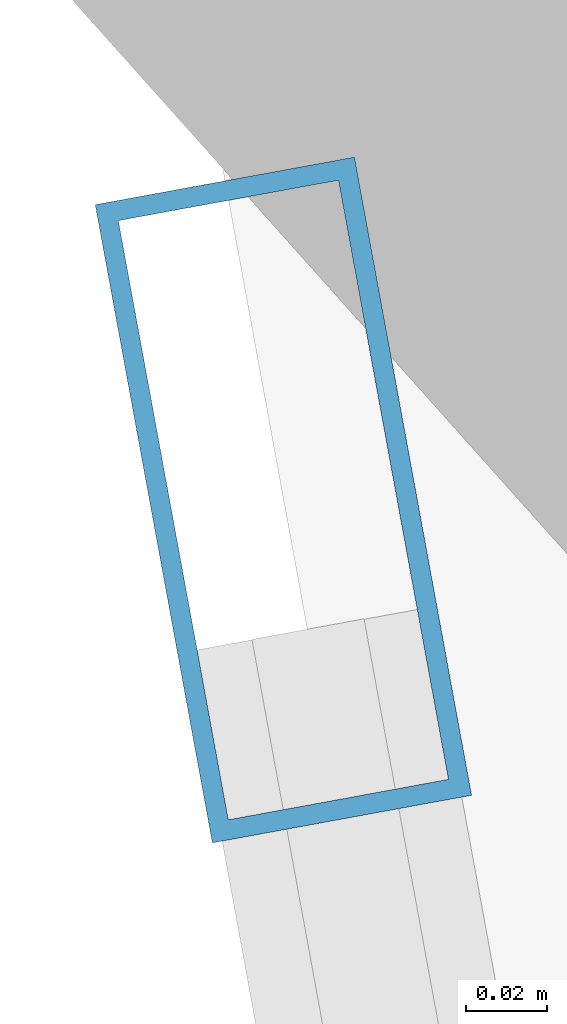
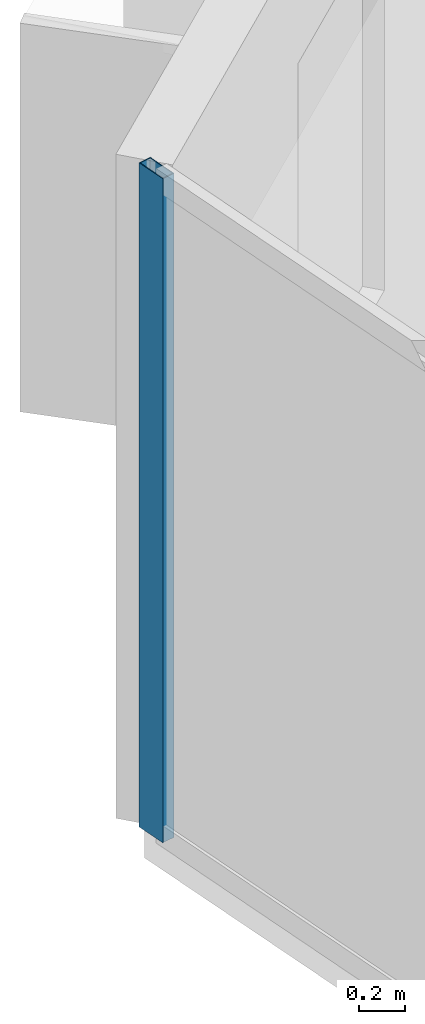
# One storey, part 11 of 23: 1 member, 1 element without a shape of its own.
"""IFC4 building model written with IfcOpenShell, lengths in metres."""

from ifc_helpers import new_model, si_unit, direction, frame, origin, origin_2d, place, context, subcontext, project, spatial, hollow_rectangle, extrude, material, layer, layer_set, material_profile, profile_set, type_object, element, aggregate, save


model = new_model("IFC4")

# Units and contexts
model_context = context("Model", 3, precision=1e-05, world=origin(), true_north=direction((0.0, 1.0)))
body_context = subcontext(model_context, "Body", "Model", "MODEL_VIEW")
ifc_project = project(units=[si_unit("LENGTHUNIT", "METRE"), si_unit("AREAUNIT", "SQUARE_METRE"), si_unit("VOLUMEUNIT", "CUBIC_METRE"), si_unit("PLANEANGLEUNIT", "RADIAN"), si_unit("MASSUNIT", "GRAM", prefix="KILO")], contexts=[model_context])

# Site, building, storey
site_placement = place(None, origin())
site = spatial("IfcSite", under=ifc_project, at=site_placement, CompositionType="ELEMENT")
building_placement = place(site_placement, origin())
building = spatial("IfcBuilding", under=site, at=building_placement, Name="Qianvela Tower", CompositionType="ELEMENT")
storey_placement = place(building_placement, frame((0.0, 0.0, 192.89990234375)))
storey = spatial("IfcBuildingStorey", under=building, at=storey_placement, Name="L49", CompositionType="ELEMENT", Elevation=192.89990234375)

# Curtain wall, member
ifc_material_1 = material(Name="Anodised Architectural Aluminium and Low-E Glass", Category="aluminium")
ifc_layer = layer(ifc_material_1, 0.159912109375)
ifc_layer_set = layer_set([ifc_layer], Name="Anodised Architectural Aluminium and Low-E Glass")
curtain_wall_type = type_object("IfcCurtainWallType", Name="CW-COLIV-Z56", PredefinedType="USERDEFINED", material=ifc_layer_set)
curtain_wall_placement = place(storey_placement, origin())
curtain_wall = element("IfcCurtainWall", 1, at=curtain_wall_placement, inside=storey, type_object=curtain_wall_type, Name="L49 CW-COLIV-Z56 Curtain Wall 04A", ObjectType="CURTAIN_WALL_SYSTEM", PredefinedType="USERDEFINED")
ifc_material_2 = material(Name="Anodised Architectural Aluminium 6063-T6", Category="aluminium")
ifc_material_profile = material_profile(ifc_material_2, hollow_rectangle(XDim=0.06494140625, YDim=0.159912109375, WallThickness=0.0048828125, at=origin_2d()), Name="ALU-MULL-65x160")
ifc_profile_set = profile_set([ifc_material_profile], Name="Anodised Architectural Aluminium 6063-T6")
member_type = type_object("IfcMemberType", Name="CW-COLIV-Z56-MULL", PredefinedType="MULLION", material=ifc_profile_set)
member_placement = place(storey_placement, frame((20.103271484375, 35.844482421875, 0.0), z_axis=(0.0, 0.0, 1.0), x_axis=(0.98357176026, 0.180517568176, 0.0)))
member = element("IfcMember", 2, at=member_placement, type_object=member_type, Name="CW-5 mullion 1", PredefinedType="MULLION", context=body_context, shape_type="SweptSolid", body=[
    extrude(hollow_rectangle(XDim=0.06494140625, YDim=0.159912109375, WallThickness=0.0048828125, at=origin_2d()), origin(), (0.0, 0.0, 1.0), 3.52001953125),
])
aggregate(curtain_wall, [member])

save(model, "model.ifc")
